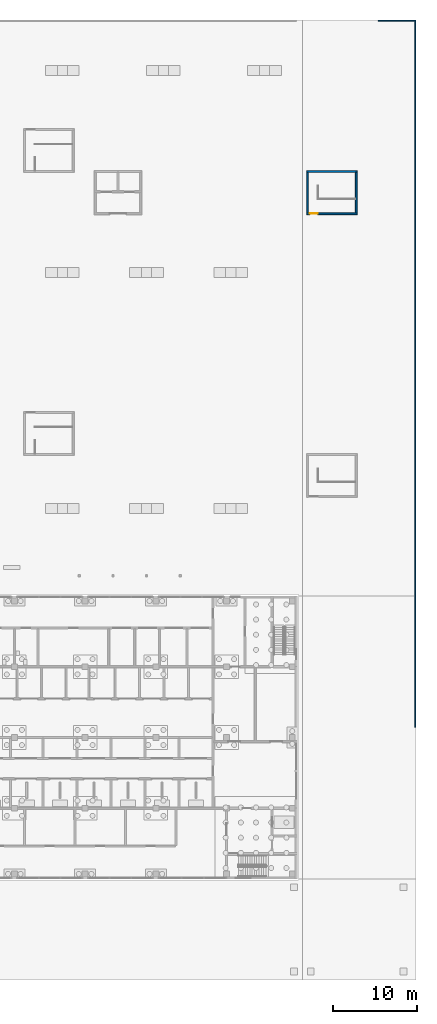
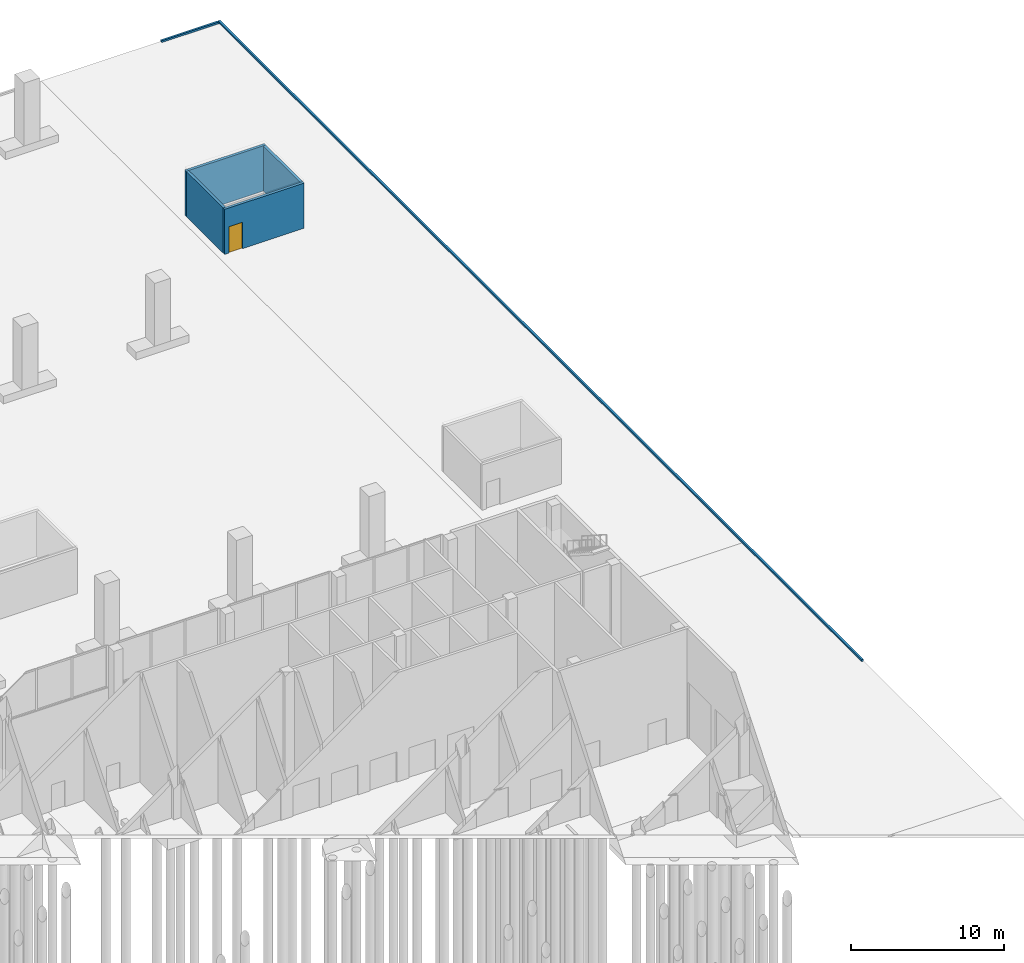
# One storey, part 31 of 46: 6 walls, 1 door, 1 opening.
"""IFC4 building model written with IfcOpenShell, lengths in metres."""

from ifc_helpers import new_model, si_unit, direction, frame, frame_2d, origin, place, context, subcontext, project, spatial, rectangle, extrude, material, layer, layer_set, type_object, element, fill, save


model = new_model("IFC4")

# Units and contexts
model_context = context("Model", 3, precision=1e-05, world=origin(), true_north=direction((0.0, 1.0)))
body_context = subcontext(model_context, "Body", "Model", "MODEL_VIEW")
ifc_project = project(units=[si_unit("LENGTHUNIT", "METRE"), si_unit("AREAUNIT", "SQUARE_METRE"), si_unit("VOLUMEUNIT", "CUBIC_METRE"), si_unit("PLANEANGLEUNIT", "RADIAN"), si_unit("MASSUNIT", "GRAM", prefix="KILO")], contexts=[model_context])

# Site, building, storey
site_placement = place(None, origin())
site = spatial("IfcSite", under=ifc_project, at=site_placement, CompositionType="ELEMENT")
building_placement = place(site_placement, origin())
building = spatial("IfcBuilding", under=site, at=building_placement, Name="Vermilion Gate Residences", CompositionType="ELEMENT")
storey_placement = place(building_placement, origin())
storey = spatial("IfcBuildingStorey", under=building, at=storey_placement, Name="L00", CompositionType="ELEMENT", Elevation=0.0)

# Walls
ifc_material_1 = material(Name="Concrete C35", Category="concrete")
ifc_layer_1 = layer(ifc_material_1, 0.14990234375)
ifc_layer_set_1 = layer_set([ifc_layer_1], Name="KERB 150 X 150 C35 (MARKET HALL)")
wall_type_1 = type_object("IfcWallType", Name="KERB 150 X 150 C35 (MARKET HALL)", PredefinedType="SOLIDWALL", material=ifc_layer_set_1)
wall_1_placement = place(storey_placement, frame((131.905029296875, 18.0, 0.0), z_axis=(0.0, 0.0, 1.0), x_axis=(0.0, 1.0, 0.0)))
element("IfcWall", 1, at=wall_1_placement, inside=storey, type_object=wall_type_1, Name="Kerb east edge 1", PredefinedType="SOLIDWALL", context=body_context, shape_type="SweptSolid", body=[
    extrude(rectangle(XDim=83.97998046875, YDim=0.14990234375, at=frame_2d((41.989990234375, 0.0))), origin(), (0.0, 0.0, 1.0), 0.14990234375),
])
wall_2_placement = place(storey_placement, frame((127.5, 101.905029296875, 0.0), z_axis=(0.0, 0.0, 1.0), x_axis=(1.0, 0.0, 0.0)))
element("IfcWall", 2, at=wall_2_placement, inside=storey, type_object=wall_type_1, Name="Kerb north edge 5", PredefinedType="SOLIDWALL", context=body_context, shape_type="SweptSolid", body=[
    extrude(rectangle(XDim=4.330078125, YDim=0.14990234375, at=frame_2d((2.1650390625, 0.0))), origin(), (0.0, 0.0, 1.0), 0.14990234375),
])
ifc_material_2 = material(Name="Concrete C40", Category="concrete")
ifc_layer_2 = layer(ifc_material_2, 0.199951171875)
ifc_layer_set_2 = layer_set([ifc_layer_2], Name="RC STAIR AND SHAFT WALL 200 EI 180 C40 (AMENITY)")
wall_type_2 = type_object("IfcWallType", Name="RC STAIR AND SHAFT WALL 200 EI 180 C40 (AMENITY)", PredefinedType="SOLIDWALL", material=ifc_layer_set_2)
wall_3_placement = place(storey_placement, frame((119.10009765625, 79.10009765625, 0.0), z_axis=(0.0, 0.0, 1.0), x_axis=(0.0, 1.0, 0.0)))
element("IfcWall", 3, at=wall_3_placement, inside=storey, type_object=wall_type_2, Name="Stair and shaft wall 81", PredefinedType="SOLIDWALL", context=body_context, shape_type="SweptSolid", body=[
    extrude(rectangle(XDim=4.7998046875, YDim=0.199951171875, at=frame_2d((2.39990234375, 0.0))), origin(), (0.0, 0.0, 1.0), 3.60009765625),
])

# Wall, opening, door
wall_4_placement = place(storey_placement, frame((119.0, 79.0, 0.0), z_axis=(0.0, 0.0, 1.0), x_axis=(1.0, 0.0, 0.0)))
wall_4 = element("IfcWall", 4, at=wall_4_placement, inside=storey, type_object=wall_type_2, Name="Stair and shaft wall 82", PredefinedType="SOLIDWALL", context=body_context, shape_type="SweptSolid", body=[
    extrude(rectangle(XDim=6.0, YDim=0.199951171875, at=frame_2d((3.0, 0.0))), origin(), (0.0, 0.0, 1.0), 3.60009765625),
])
opening_placement = place(wall_4_placement, frame((0.35009765625, 0.0, 0.0)))
opening = element("IfcOpeningElement", 5, at=opening_placement, cuts=wall_4, Name="Opening DG00013", PredefinedType="OPENING", context=body_context, shape_type="SweptSolid", body=[
    extrude(rectangle(XDim=1.0, YDim=2.10009765625, at=frame_2d((0.5, 1.050048828125))), frame((0.0, 0.10986328125, 0.0), z_axis=(0.0, -1.0, 0.0), x_axis=(1.0, 0.0, 0.0)), (0.0, 0.0, 1.0), 0.219970703125),
])
ifc_material_3 = material(Name="Steel", Category="steel")
door_type = type_object("IfcDoorType", Name="DOOR 1000 X 2100 FD60 (AMENITY)", OperationType="SINGLE_SWING_LEFT", PredefinedType="DOOR", material=ifc_material_3)
door_placement = place(opening_placement, frame((1.0, 0.0, 0.0), z_axis=(0.0, 0.0, 1.0), x_axis=(-1.0, 0.0, 0.0)))
door = element("IfcDoor", 6, at=door_placement, inside=storey, type_object=door_type, Name="Door L00 13", OperationType="SINGLE_SWING_RIGHT", OverallHeight=2.10009765625, OverallWidth=1.0, PredefinedType="DOOR", context=body_context, shape_type="SweptSolid", body=[
    extrude(rectangle(XDim=1.0, YDim=2.10009765625, at=frame_2d((0.5, 1.050048828125))), frame((0.0, 0.02490234375, 0.0), z_axis=(0.0, -1.0, 0.0), x_axis=(1.0, 0.0, 0.0)), (0.0, 0.0, 1.0), 0.050048828125),
])
fill(opening, door)

# Walls
wall_5_placement = place(storey_placement, frame((119.0, 84.0, 0.0), z_axis=(0.0, 0.0, 1.0), x_axis=(1.0, 0.0, 0.0)))
element("IfcWall", 7, at=wall_5_placement, inside=storey, type_object=wall_type_2, Name="Stair and shaft wall 83", PredefinedType="SOLIDWALL", context=body_context, shape_type="SweptSolid", body=[
    extrude(rectangle(XDim=6.0, YDim=0.199951171875, at=frame_2d((3.0, 0.0))), origin(), (0.0, 0.0, 1.0), 3.60009765625),
])
wall_6_placement = place(storey_placement, frame((124.89990234375, 79.10009765625, 0.0), z_axis=(0.0, 0.0, 1.0), x_axis=(0.0, 1.0, 0.0)))
element("IfcWall", 8, at=wall_6_placement, inside=storey, type_object=wall_type_2, Name="Stair and shaft wall 85", PredefinedType="SOLIDWALL", context=body_context, shape_type="SweptSolid", body=[
    extrude(rectangle(XDim=4.7998046875, YDim=0.199951171875, at=frame_2d((2.39990234375, 0.0))), origin(), (0.0, 0.0, 1.0), 3.60009765625),
])

save(model, "model.ifc")
